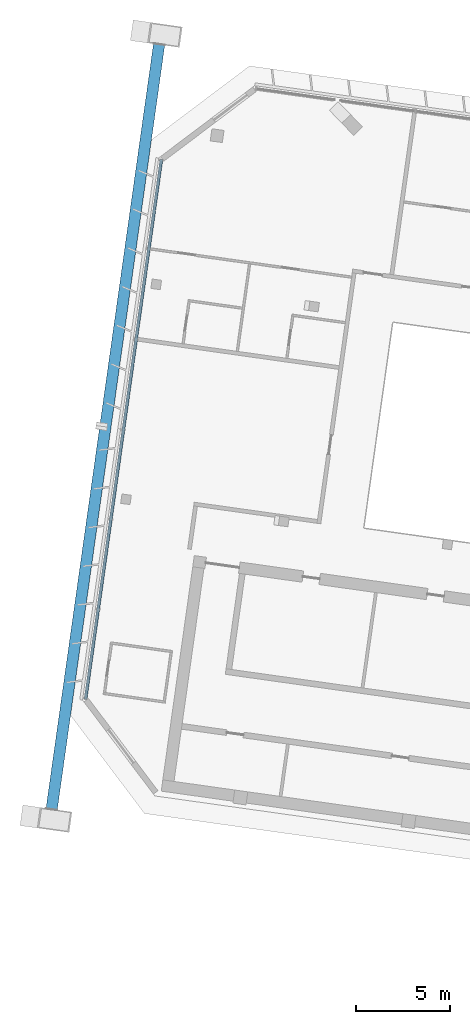
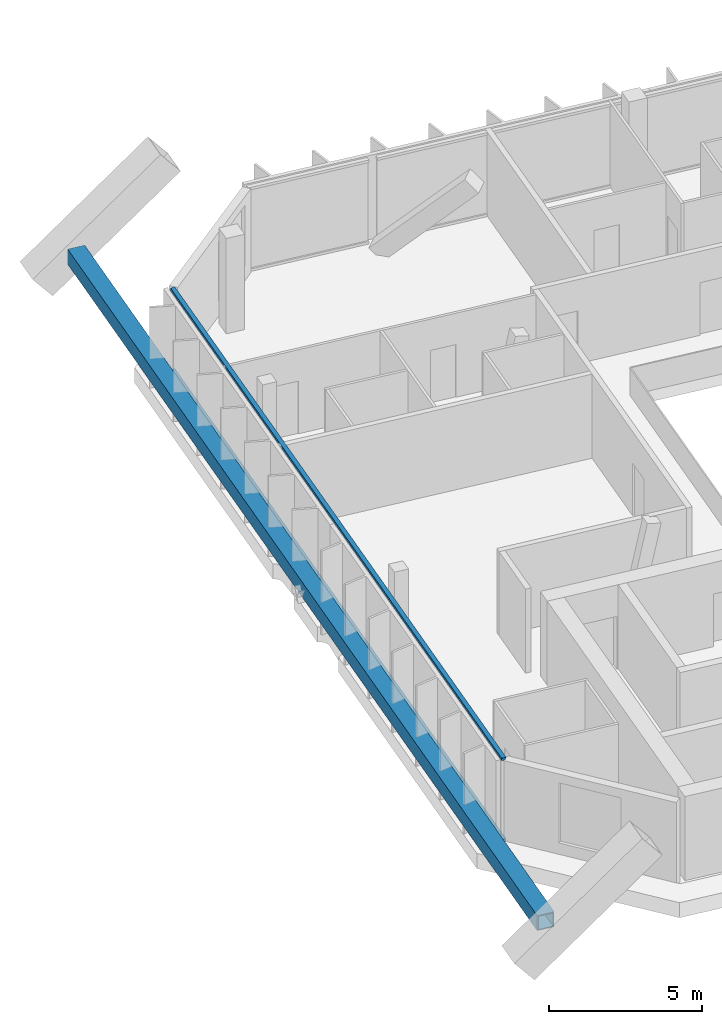
# One storey, part 3 of 26: 3 members, 1 element without a shape of its own.
"""IFC4 building model written with IfcOpenShell, lengths in metres."""

from ifc_helpers import new_model, si_unit, direction, frame, origin, origin_2d, place, context, subcontext, project, spatial, rectangle, hollow_rectangle, extrude, material, material_profile, profile_set, type_object, element, aggregate, save


model = new_model("IFC4")

# Units and contexts
model_context = context("Model", 3, precision=1e-05, world=origin(), true_north=direction((0.0, 1.0)))
body_context = subcontext(model_context, "Body", "Model", "MODEL_VIEW")
ifc_project = project(units=[si_unit("LENGTHUNIT", "METRE"), si_unit("AREAUNIT", "SQUARE_METRE"), si_unit("VOLUMEUNIT", "CUBIC_METRE"), si_unit("PLANEANGLEUNIT", "RADIAN"), si_unit("MASSUNIT", "GRAM", prefix="KILO")], contexts=[model_context])

# Site, building, storey
site_placement = place(None, origin())
site = spatial("IfcSite", under=ifc_project, at=site_placement, CompositionType="ELEMENT")
building_placement = place(site_placement, origin())
building = spatial("IfcBuilding", under=site, at=building_placement, Name="Mirante Cascada Hotel Towers", CompositionType="ELEMENT")
storey_placement = place(building_placement, frame((0.0, 0.0, 228.0)))
storey = spatial("IfcBuildingStorey", under=building, at=storey_placement, Name="L54", CompositionType="ELEMENT", Elevation=228.0)

# Member
ifc_material_1 = material(Name="Steel ASTM A572 Gr 50", Category="steel")
ifc_material_profile_1 = material_profile(ifc_material_1, hollow_rectangle(XDim=0.6, YDim=0.6, WallThickness=0.04, at=origin_2d()), Name="Box chord 600x600x40 ASTM A572 Gr 50")
ifc_profile_set_1 = profile_set([ifc_material_profile_1], Name="Steel ASTM A572 Gr 50")
member_type_1 = type_object("IfcMemberType", Name="Box chord 600x600x40 ASTM A572 Gr 50", PredefinedType="CHORD", material=ifc_profile_set_1)
member_1_placement = place(storey_placement, frame((-78.2188, -15.8945, 1.0), z_axis=(0.1391743, 0.9902679, 0.0), x_axis=(-0.9902679, 0.1391743, 0.0)))
element("IfcMember", 1, at=member_1_placement, inside=storey, type_object=member_type_1, Name="exochord T1 L54 1", PredefinedType="CHORD", context=body_context, shape_type="SweptSolid", body=[
    extrude(hollow_rectangle(XDim=0.6, YDim=0.6, WallThickness=0.04, at=origin_2d()), origin(), (0.0, 0.0, 1.0), 40.94),
])

# Curtain wall, members
ifc_material_2 = material(Name="Aluminium mullion and transom frame with clear laminated glass", Category="aluminium")
curtain_wall_type = type_object("IfcCurtainWallType", Name="End ribbon curtain wall ECW2", PredefinedType="NOTDEFINED", material=ifc_material_2)
curtain_wall_placement = place(storey_placement, origin())
curtain_wall = element("IfcCurtainWall", 2, at=curtain_wall_placement, inside=storey, type_object=curtain_wall_type, Name="Outer end wall T1 L54", PredefinedType="NOTDEFINED")
ifc_material_3 = material(Name="Anodised aluminium extrusion", Category="aluminium")
ifc_material_profile_2 = material_profile(ifc_material_3, rectangle(XDim=0.16, YDim=0.1, at=origin_2d()), Name="ECW2 TRANSOM 100x160")
ifc_profile_set_2 = profile_set([ifc_material_profile_2], Name="Anodised aluminium extrusion")
member_type_2 = type_object("IfcMemberType", Name="ECW2 transom 100x160", PredefinedType="USERDEFINED", material=ifc_profile_set_2)
member_2_placement = place(storey_placement, frame((-76.4229, -10.0554, 0.05), z_axis=(0.1391723, 0.9902682, 0.0), x_axis=(-0.9902682, 0.1391723, 0.0)))
member_2 = element("IfcMember", 3, at=member_2_placement, type_object=member_type_2, Name="ECW2 sill transom", ObjectType="TRANSOM", PredefinedType="USERDEFINED", context=body_context, shape_type="SweptSolid", body=[
    extrude(rectangle(XDim=0.16, YDim=0.1, at=origin_2d()), origin(), (0.0, 0.0, 1.0), 28.8757),
])
member_3_placement = place(storey_placement, frame((-76.4229, -10.0554, 3.3), z_axis=(0.1391723, 0.9902682, 0.0), x_axis=(-0.9902682, 0.1391723, 0.0)))
member_3 = element("IfcMember", 4, at=member_3_placement, type_object=member_type_2, Name="ECW2 head transom", ObjectType="TRANSOM", PredefinedType="USERDEFINED", context=body_context, shape_type="SweptSolid", body=[
    extrude(rectangle(XDim=0.16, YDim=0.1, at=origin_2d()), origin(), (0.0, 0.0, 1.0), 28.8757),
])
aggregate(curtain_wall, [member_2, member_3])

save(model, "model.ifc")
